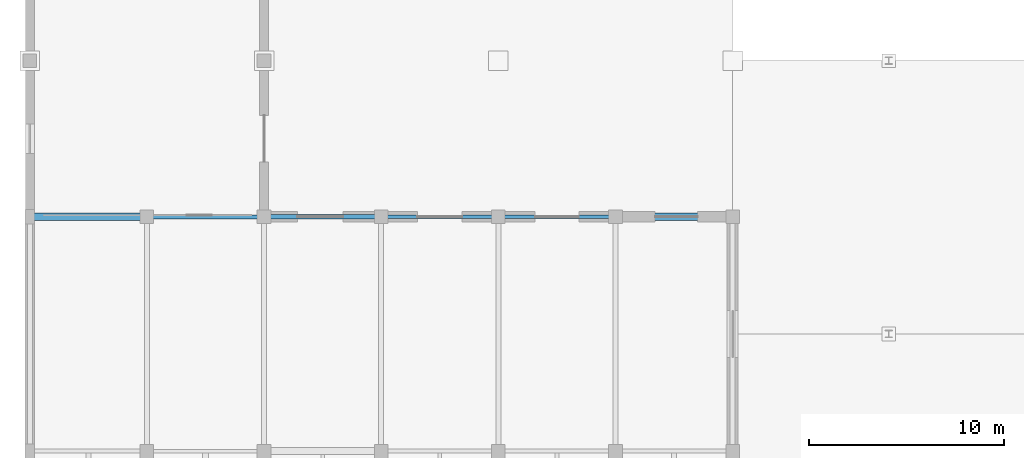
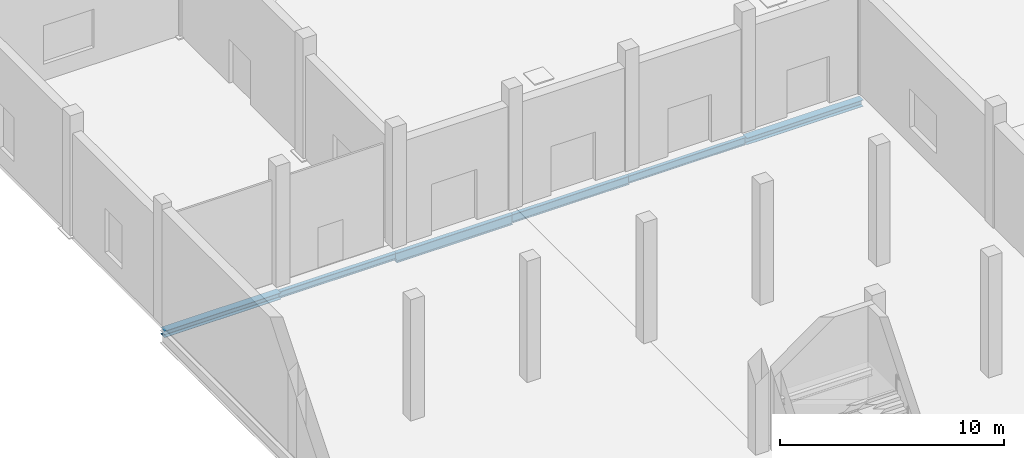
# One storey, part 64 of 140: 6 beams.
"""IFC4 building model written with IfcOpenShell, lengths in metres."""

from ifc_helpers import new_model, si_unit, direction, frame, origin, origin_2d, place, context, subcontext, project, spatial, i_section, extrude, material, material_profile, profile_set, type_object, element, save


model = new_model("IFC4")

# Units and contexts
model_context = context("Model", 3, precision=1e-05, world=origin(), true_north=direction((0.0, 1.0)))
body_context = subcontext(model_context, "Body", "Model", "MODEL_VIEW")
ifc_project = project(units=[si_unit("LENGTHUNIT", "METRE"), si_unit("AREAUNIT", "SQUARE_METRE"), si_unit("VOLUMEUNIT", "CUBIC_METRE"), si_unit("PLANEANGLEUNIT", "RADIAN"), si_unit("MASSUNIT", "GRAM", prefix="KILO")], contexts=[model_context])

# Site, building, storey
site_placement = place(None, origin())
site = spatial("IfcSite", under=ifc_project, at=site_placement, CompositionType="ELEMENT")
building_placement = place(site_placement, origin())
building = spatial("IfcBuilding", under=site, at=building_placement, Name="Verrall Gate Interchange", CompositionType="ELEMENT")
storey_placement = place(building_placement, origin())
storey = spatial("IfcBuildingStorey", under=building, at=storey_placement, Name="L01", CompositionType="ELEMENT", Elevation=0.0)

# Beams
ifc_material_1 = material(Name="Structural Steel CSA G40.21 350W", Category="steel")
ifc_material_profile_1 = material_profile(ifc_material_1, i_section(OverallWidth=0.2109375, OverallDepth=0.5390625, WebThickness=0.01171875, FlangeThickness=0.018798828125, FilletRadius=0.013916015625, at=origin_2d()), Name="W530x109")
ifc_profile_set_1 = profile_set([ifc_material_profile_1], Name="Structural Steel CSA G40.21 350W")
beam_type_1 = type_object("IfcBeamType", Name="B-10 Structural Beam W530x109", PredefinedType="BEAM", material=ifc_profile_set_1)
beam_1_placement = place(storey_placement, frame((12.0, 96.0, -0.76953125), z_axis=(1.0, 0.0, 0.0), x_axis=(0.0, 1.0, 0.0)))
element("IfcBeam", 1, at=beam_1_placement, inside=storey, type_object=beam_type_1, Name="L01 Girder BM-L01-0976 (B-10)", PredefinedType="BEAM", context=body_context, shape_type="SweptSolid", body=[
    extrude(i_section(OverallWidth=0.2109375, OverallDepth=0.5390625, WebThickness=0.01171875, FlangeThickness=0.018798828125, FilletRadius=0.013916015625, at=origin_2d()), origin(), (0.0, 0.0, 1.0), 6.0),
])
ifc_material_2 = material(Name="Structural Steel CSA G40.21 350W", Category="steel")
ifc_material_profile_2 = material_profile(ifc_material_2, i_section(OverallWidth=0.19189453125, OverallDepth=0.462890625, WebThickness=0.010498046875, FlangeThickness=0.017578125, FilletRadius=0.012939453125, at=origin_2d()), Name="W460x89")
ifc_profile_set_2 = profile_set([ifc_material_profile_2], Name="Structural Steel CSA G40.21 350W")
beam_type_2 = type_object("IfcBeamType", Name="B-11 Structural Beam W460x89", PredefinedType="BEAM", material=ifc_profile_set_2)
beam_2_placement = place(storey_placement, frame((18.0, 96.0, -0.7314453125), z_axis=(1.0, 0.0, 0.0), x_axis=(0.0, 1.0, 0.0)))
element("IfcBeam", 2, at=beam_2_placement, inside=storey, type_object=beam_type_2, Name="L01 Girder BM-L01-0977 (B-11)", PredefinedType="BEAM", context=body_context, shape_type="SweptSolid", body=[
    extrude(i_section(OverallWidth=0.19189453125, OverallDepth=0.462890625, WebThickness=0.010498046875, FlangeThickness=0.017578125, FilletRadius=0.012939453125, at=origin_2d()), origin(), (0.0, 0.0, 1.0), 6.0),
])
ifc_material_3 = material(Name="Structural Steel CSA G40.21 350W", Category="steel")
ifc_material_profile_3 = material_profile(ifc_material_3, i_section(OverallWidth=0.178955078125, OverallDepth=0.409912109375, WebThickness=0.0087890625, FlangeThickness=0.014404296875, FilletRadius=0.011962890625, at=origin_2d()), Name="W410x67")
ifc_profile_set_3 = profile_set([ifc_material_profile_3], Name="Structural Steel CSA G40.21 350W")
beam_type_3 = type_object("IfcBeamType", Name="B-12 Structural Beam W410x67", PredefinedType="BEAM", material=ifc_profile_set_3)
beam_3_placement = place(storey_placement, frame((24.0, 96.0, -0.705078125), z_axis=(1.0, 0.0, 0.0), x_axis=(0.0, 1.0, 0.0)))
element("IfcBeam", 3, at=beam_3_placement, inside=storey, type_object=beam_type_3, Name="L01 Girder BM-L01-0978 (B-12)", PredefinedType="BEAM", context=body_context, shape_type="SweptSolid", body=[
    extrude(i_section(OverallWidth=0.178955078125, OverallDepth=0.409912109375, WebThickness=0.0087890625, FlangeThickness=0.014404296875, FilletRadius=0.011962890625, at=origin_2d()), origin(), (0.0, 0.0, 1.0), 6.0),
])
ifc_material_4 = material(Name="Structural Steel CSA G40.21 350W", Category="steel")
ifc_material_profile_4 = material_profile(ifc_material_4, i_section(OverallWidth=0.368896484375, OverallDepth=0.35595703125, WebThickness=0.01123046875, FlangeThickness=0.01806640625, FilletRadius=0.014892578125, at=origin_2d()), Name="W360x134")
ifc_profile_set_4 = profile_set([ifc_material_profile_4], Name="Structural Steel CSA G40.21 350W")
beam_type_4 = type_object("IfcBeamType", Name="B-13 Structural Beam W360x134", PredefinedType="BEAM", material=ifc_profile_set_4)
for number, where, z_axis, x_axis, name in (
    (4, (0.0, 96.0, -0.677978515625), (1.0, 0.0, 0.0), (0.0, 1.0, 0.0), "L01 Girder BM-L01-0974 (B-13)"),
    (5, (30.0, 96.0, -0.677978515625), (1.0, 0.0, 0.0), (0.0, 1.0, 0.0), "L01 Girder BM-L01-0979 (B-13)"),
):
    element("IfcBeam", number, at=place(storey_placement, frame(where, z_axis=z_axis, x_axis=x_axis)), inside=storey, type_object=beam_type_4, Name=name, PredefinedType="BEAM", context=body_context, shape_type="SweptSolid", body=[
        extrude(i_section(OverallWidth=0.368896484375, OverallDepth=0.35595703125, WebThickness=0.01123046875, FlangeThickness=0.01806640625, FilletRadius=0.014892578125, at=origin_2d()), origin(), (0.0, 0.0, 1.0), 6.0),
    ])
ifc_material_5 = material(Name="Structural Steel CSA G40.21 350W", Category="steel")
ifc_material_profile_5 = material_profile(ifc_material_5, i_section(OverallWidth=0.205078125, OverallDepth=0.35400390625, WebThickness=0.009521484375, FlangeThickness=0.016845703125, FilletRadius=0.012939453125, at=origin_2d()), Name="W360x79")
ifc_profile_set_5 = profile_set([ifc_material_profile_5], Name="Structural Steel CSA G40.21 350W")
beam_type_5 = type_object("IfcBeamType", Name="B-14 Structural Beam W360x79", PredefinedType="BEAM", material=ifc_profile_set_5)
beam_4_placement = place(storey_placement, frame((6.0, 96.0, -0.677001953125), z_axis=(1.0, 0.0, 0.0), x_axis=(0.0, 1.0, 0.0)))
element("IfcBeam", 6, at=beam_4_placement, inside=storey, type_object=beam_type_5, Name="L01 Girder BM-L01-0975 (B-14)", PredefinedType="BEAM", context=body_context, shape_type="SweptSolid", body=[
    extrude(i_section(OverallWidth=0.205078125, OverallDepth=0.35400390625, WebThickness=0.009521484375, FlangeThickness=0.016845703125, FilletRadius=0.012939453125, at=origin_2d()), origin(), (0.0, 0.0, 1.0), 6.0),
])

save(model, "model.ifc")
